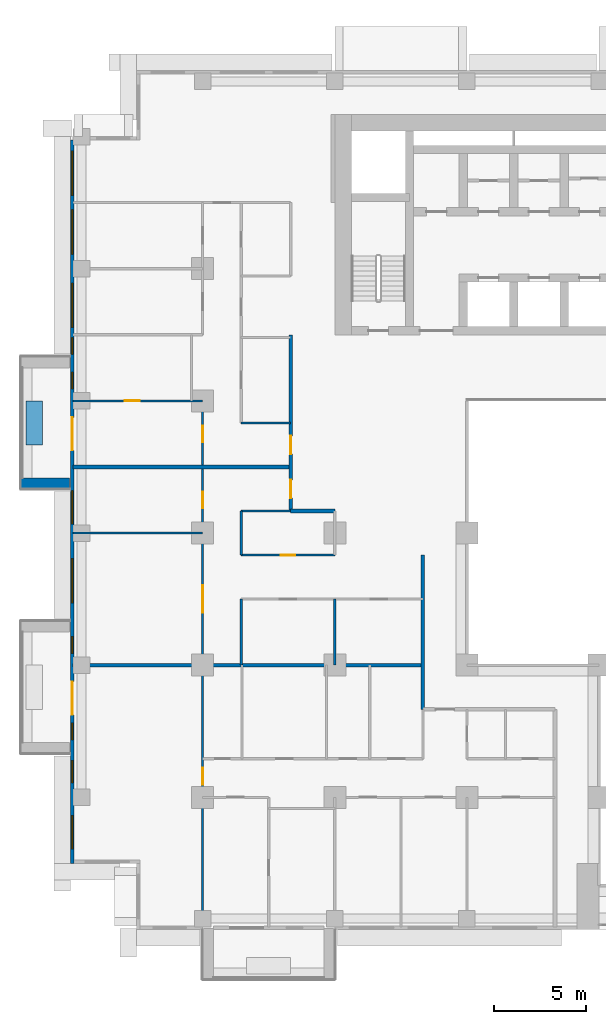
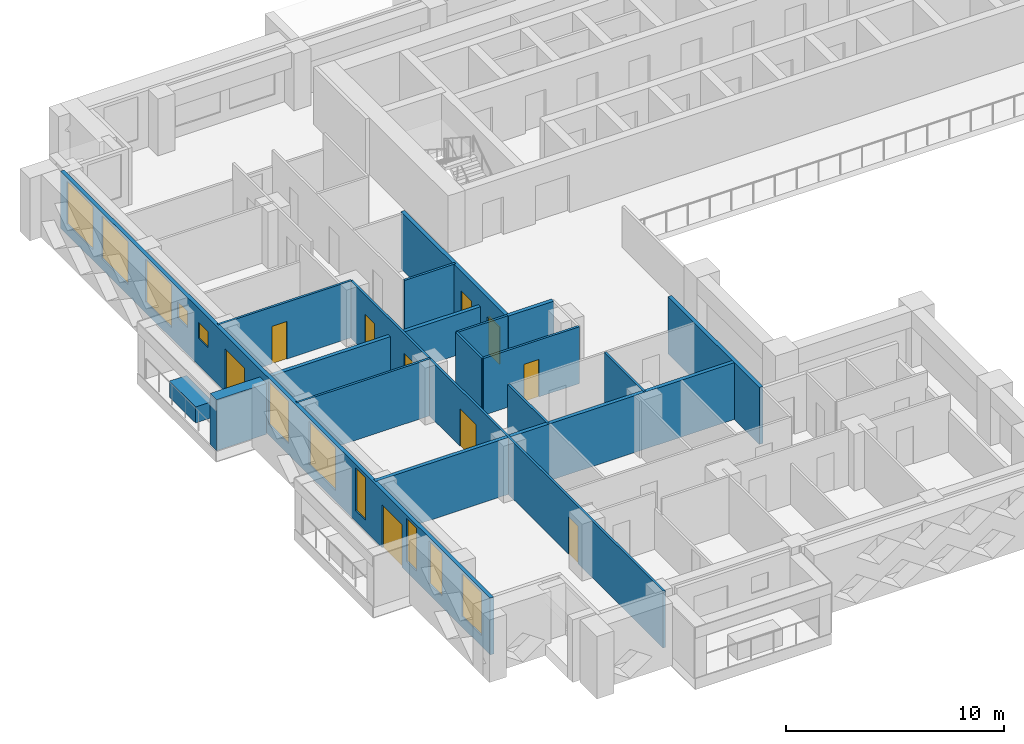
# One storey, part 7 of 17: 17 walls, 11 windows, 10 doors, 21 openings.
"""IFC4 building model written with IfcOpenShell, lengths in metres."""

from ifc_helpers import new_model, si_unit, direction, frame, frame_2d, origin, place, context, subcontext, project, spatial, rectangle, extrude, material, layer, layer_set, type_object, element, fill, save


model = new_model("IFC4")

# Units and contexts
model_context = context("Model", 3, precision=1e-05, world=origin(), true_north=direction((0.0, 1.0)))
body_context = subcontext(model_context, "Body", "Model", "MODEL_VIEW")
ifc_project = project(units=[si_unit("LENGTHUNIT", "METRE"), si_unit("AREAUNIT", "SQUARE_METRE"), si_unit("VOLUMEUNIT", "CUBIC_METRE"), si_unit("PLANEANGLEUNIT", "RADIAN"), si_unit("MASSUNIT", "GRAM", prefix="KILO")], contexts=[model_context])

# Site, building, storey
site_placement = place(None, origin())
site = spatial("IfcSite", under=ifc_project, at=site_placement, CompositionType="ELEMENT")
building_placement = place(site_placement, origin())
building = spatial("IfcBuilding", under=site, at=building_placement, Name="Saffron Iwan Residences", CompositionType="ELEMENT")
storey_placement = place(building_placement, frame((0.0, 0.0, 93.5)))
storey = spatial("IfcBuildingStorey", under=building, at=storey_placement, Name="L24", CompositionType="ELEMENT", Elevation=93.5)

# Walls
ifc_material_1 = material(Name="Concrete C50/60 white painted", Category="concrete")
ifc_layer_1 = layer(ifc_material_1, 0.60009765625)
ifc_layer_set_1 = layer_set([ifc_layer_1], Name="Concrete C50/60 white painted")
wall_type_1 = type_object("IfcWallType", Name="BALCONY FIN 600", PredefinedType="SOLIDWALL", material=ifc_layer_set_1)
wall_1_placement = place(storey_placement, frame((14.35009765625, 57.89990234375, 0.0), z_axis=(0.0, 0.0, 1.0), x_axis=(-1.0, 0.0, 0.0)))
element("IfcWall", 1, at=wall_1_placement, inside=storey, type_object=wall_type_1, Name="Balcony fin L24 F8-0b", PredefinedType="SOLIDWALL", context=body_context, shape_type="SweptSolid", body=[
    extrude(rectangle(XDim=2.650146484375, YDim=0.60009765625, at=frame_2d((1.3251953125, 0.0))), origin(), (0.0, 0.0, 1.0), 2.85009765625),
])
ifc_material_2 = material(Name="Concrete C35/45 white painted", Category="concrete")
ifc_layer_2 = layer(ifc_material_2, 0.14990234375)
ifc_layer_set_2 = layer_set([ifc_layer_2], Name="Concrete C35/45 white painted")
wall_type_2 = type_object("IfcWallType", Name="BALCONY PLANTER", PredefinedType="SOLIDWALL", material=ifc_layer_set_2)
wall_2_placement = place(storey_placement, frame((12.425048828125, 62.39990234375, 0.0), z_axis=(0.0, 0.0, 1.0), x_axis=(0.0, -1.0, 0.0)))
element("IfcWall", 2, at=wall_2_placement, inside=storey, type_object=wall_type_2, Name="PLANTER L24 F8-0", PredefinedType="SOLIDWALL", context=body_context, shape_type="SweptSolid", body=[
    extrude(rectangle(XDim=2.39990234375, YDim=0.89990234375, at=frame_2d((1.199951171875, 0.0))), origin(), (0.0, 0.0, 1.0), 0.89990234375),
])

# Wall, openings, doors, windows
ifc_material_3 = material(Name="Concrete C40/50", Category="concrete")
ifc_layer_3 = layer(ifc_material_3, 0.199951171875)
ifc_layer_set_3 = layer_set([ifc_layer_3], Name="Concrete C40/50")
wall_type_3 = type_object("IfcWallType", Name="EXTERNAL WALL 200", PredefinedType="SOLIDWALL", material=ifc_layer_set_3)
wall_3_placement = place(storey_placement, frame((14.5, 76.60009765625, 0.0), z_axis=(0.0, 0.0, 1.0), x_axis=(0.0, -1.0, 0.0)))
wall_3 = element("IfcWall", 3, at=wall_3_placement, inside=storey, type_object=wall_type_3, Name="External wall L24 F8.0", PredefinedType="SOLIDWALL", context=body_context, shape_type="SweptSolid", body=[
    extrude(rectangle(XDim=39.400146484375, YDim=0.199951171875, at=frame_2d((19.7001953125, 0.0))), origin(), (0.0, 0.0, 1.0), 3.179931640625),
])
opening_1_placement = place(wall_3_placement, frame((15.10009765625, 0.0, 0.0)))
opening_1 = element("IfcOpeningElement", 4, at=opening_1_placement, cuts=wall_3, Name="Opening BD1", PredefinedType="OPENING", context=body_context, shape_type="SweptSolid", body=[
    extrude(rectangle(XDim=1.800048828125, YDim=2.39990234375, at=frame_2d((0.89990234375, 1.199951171875))), frame((0.0, 0.10986328125, 0.0), z_axis=(0.0, -1.0, 0.0), x_axis=(1.0, 0.0, 0.0)), (0.0, 0.0, 1.0), 0.219970703125),
])
opening_2_placement = place(wall_3_placement, frame((29.5, 0.0, 0.0)))
opening_2 = element("IfcOpeningElement", 5, at=opening_2_placement, cuts=wall_3, Name="Opening BD1", PredefinedType="OPENING", context=body_context, shape_type="SweptSolid", body=[
    extrude(rectangle(XDim=1.800048828125, YDim=2.39990234375, at=frame_2d((0.89990234375, 1.199951171875))), frame((0.0, 0.10986328125, 0.0), z_axis=(0.0, -1.0, 0.0), x_axis=(1.0, 0.0, 0.0)), (0.0, 0.0, 1.0), 0.219970703125),
])
opening_3_placement = place(wall_3_placement, frame((31.75, 0.0, 0.60009765625)))
opening_3 = element("IfcOpeningElement", 6, at=opening_3_placement, cuts=wall_3, Name="Opening W10", PredefinedType="OPENING", context=body_context, shape_type="SweptSolid", body=[
    extrude(rectangle(XDim=0.89990234375, YDim=2.39990234375, at=frame_2d((0.449951171875, 1.199951171875))), frame((0.0, 0.10986328125, 0.0), z_axis=(0.0, -1.0, 0.0), x_axis=(1.0, 0.0, 0.0)), (0.0, 0.0, 1.0), 0.219970703125),
])
opening_4_placement = place(wall_3_placement, frame((33.800048828125, 0.0, 0.60009765625)))
opening_4 = element("IfcOpeningElement", 7, at=opening_4_placement, cuts=wall_3, Name="Opening W3", PredefinedType="OPENING", context=body_context, shape_type="SweptSolid", body=[
    extrude(rectangle(XDim=1.199951171875, YDim=2.39990234375, at=frame_2d((0.60009765625, 1.199951171875))), frame((0.0, 0.10986328125, 0.0), z_axis=(0.0, -1.0, 0.0), x_axis=(1.0, 0.0, 0.0)), (0.0, 0.0, 1.0), 0.219970703125),
])
opening_5_placement = place(wall_3_placement, frame((36.800048828125, 0.0, 0.60009765625)))
opening_5 = element("IfcOpeningElement", 8, at=opening_5_placement, cuts=wall_3, Name="Opening W8", PredefinedType="OPENING", context=body_context, shape_type="SweptSolid", body=[
    extrude(rectangle(XDim=1.800048828125, YDim=2.39990234375, at=frame_2d((0.89990234375, 1.199951171875))), frame((0.0, 0.10986328125, 0.0), z_axis=(0.0, -1.0, 0.0), x_axis=(1.0, 0.0, 0.0)), (0.0, 0.0, 1.0), 0.219970703125),
])
opening_6_placement = place(wall_3_placement, frame((22.800048828125, 0.0, 0.60009765625)))
opening_6 = element("IfcOpeningElement", 9, at=opening_6_placement, cuts=wall_3, Name="Opening W1", PredefinedType="OPENING", context=body_context, shape_type="SweptSolid", body=[
    extrude(rectangle(XDim=2.39990234375, YDim=2.39990234375, at=frame_2d((1.199951171875, 1.199951171875))), frame((0.0, 0.10986328125, 0.0), z_axis=(0.0, -1.0, 0.0), x_axis=(1.0, 0.0, 0.0)), (0.0, 0.0, 1.0), 0.219970703125),
])
opening_7_placement = place(wall_3_placement, frame((27.050048828125, 0.0, 0.60009765625)))
opening_7 = element("IfcOpeningElement", 10, at=opening_7_placement, cuts=wall_3, Name="Opening W10", PredefinedType="OPENING", context=body_context, shape_type="SweptSolid", body=[
    extrude(rectangle(XDim=0.89990234375, YDim=2.39990234375, at=frame_2d((0.449951171875, 1.199951171875))), frame((0.0, 0.10986328125, 0.0), z_axis=(0.0, -1.0, 0.0), x_axis=(1.0, 0.0, 0.0)), (0.0, 0.0, 1.0), 0.219970703125),
])
opening_8_placement = place(wall_3_placement, frame((19.10009765625, 0.0, 0.60009765625)))
opening_8 = element("IfcOpeningElement", 11, at=opening_8_placement, cuts=wall_3, Name="Opening W8", PredefinedType="OPENING", context=body_context, shape_type="SweptSolid", body=[
    extrude(rectangle(XDim=1.800048828125, YDim=2.39990234375, at=frame_2d((0.89990234375, 1.199951171875))), frame((0.0, 0.10986328125, 0.0), z_axis=(0.0, -1.0, 0.0), x_axis=(1.0, 0.0, 0.0)), (0.0, 0.0, 1.0), 0.219970703125),
])
opening_9_placement = place(wall_3_placement, frame((10.75, 0.0, 1.5)))
opening_9 = element("IfcOpeningElement", 12, at=opening_9_placement, cuts=wall_3, Name="Opening W6", PredefinedType="OPENING", context=body_context, shape_type="SweptSolid", body=[
    extrude(rectangle(XDim=0.89990234375, YDim=0.89990234375, at=frame_2d((0.449951171875, 0.449951171875))), frame((0.0, 0.10986328125, 0.0), z_axis=(0.0, -1.0, 0.0), x_axis=(1.0, 0.0, 0.0)), (0.0, 0.0, 1.0), 0.219970703125),
])
opening_10_placement = place(wall_3_placement, frame((12.64990234375, 0.0, 1.5)))
opening_10 = element("IfcOpeningElement", 13, at=opening_10_placement, cuts=wall_3, Name="Opening W6", PredefinedType="OPENING", context=body_context, shape_type="SweptSolid", body=[
    extrude(rectangle(XDim=0.89990234375, YDim=0.89990234375, at=frame_2d((0.449951171875, 0.449951171875))), frame((0.0, 0.10986328125, 0.0), z_axis=(0.0, -1.0, 0.0), x_axis=(1.0, 0.0, 0.0)), (0.0, 0.0, 1.0), 0.219970703125),
])
opening_11_placement = place(wall_3_placement, frame((7.800048828125, 0.0, 0.60009765625)))
opening_11 = element("IfcOpeningElement", 14, at=opening_11_placement, cuts=wall_3, Name="Opening W1", PredefinedType="OPENING", context=body_context, shape_type="SweptSolid", body=[
    extrude(rectangle(XDim=2.39990234375, YDim=2.39990234375, at=frame_2d((1.199951171875, 1.199951171875))), frame((0.0, 0.10986328125, 0.0), z_axis=(0.0, -1.0, 0.0), x_axis=(1.0, 0.0, 0.0)), (0.0, 0.0, 1.0), 0.219970703125),
])
opening_12_placement = place(wall_3_placement, frame((3.800048828125, 0.0, 0.60009765625)))
opening_12 = element("IfcOpeningElement", 15, at=opening_12_placement, cuts=wall_3, Name="Opening W1", PredefinedType="OPENING", context=body_context, shape_type="SweptSolid", body=[
    extrude(rectangle(XDim=2.39990234375, YDim=2.39990234375, at=frame_2d((1.199951171875, 1.199951171875))), frame((0.0, 0.10986328125, 0.0), z_axis=(0.0, -1.0, 0.0), x_axis=(1.0, 0.0, 0.0)), (0.0, 0.0, 1.0), 0.219970703125),
])
opening_13_placement = place(wall_3_placement, frame((0.60009765625, 0.0, 0.60009765625)))
opening_13 = element("IfcOpeningElement", 16, at=opening_13_placement, cuts=wall_3, Name="Opening W1", PredefinedType="OPENING", context=body_context, shape_type="SweptSolid", body=[
    extrude(rectangle(XDim=2.39990234375, YDim=2.39990234375, at=frame_2d((1.199951171875, 1.199951171875))), frame((0.0, 0.10986328125, 0.0), z_axis=(0.0, -1.0, 0.0), x_axis=(1.0, 0.0, 0.0)), (0.0, 0.0, 1.0), 0.219970703125),
])
ifc_material_4 = material(Name="Clear glass, laminated double glazed", Category="glass")
door_type_1 = type_object("IfcDoorType", Name="BALCONY DOOR 1800 x 2400", OperationType="DOUBLE_DOOR_SLIDING", PredefinedType="DOOR", material=ifc_material_4)
door_1_placement = place(opening_1_placement, origin())
door_1 = element("IfcDoor", 17, at=door_1_placement, inside=storey, type_object=door_type_1, Name="Balcony door L24 F8.0", OperationType="DOUBLE_DOOR_SLIDING", OverallHeight=2.39990234375, OverallWidth=1.800048828125, PredefinedType="DOOR", context=body_context, shape_type="SweptSolid", body=[
    extrude(rectangle(XDim=1.800048828125, YDim=2.39990234375, at=frame_2d((0.89990234375, 1.199951171875))), frame((0.0, 0.02490234375, 0.0), z_axis=(0.0, -1.0, 0.0), x_axis=(1.0, 0.0, 0.0)), (0.0, 0.0, 1.0), 0.050048828125),
])
fill(opening_1, door_1)
door_2_placement = place(opening_2_placement, origin())
door_2 = element("IfcDoor", 18, at=door_2_placement, inside=storey, type_object=door_type_1, Name="Balcony door L24 F8.1", OperationType="DOUBLE_DOOR_SLIDING", OverallHeight=2.39990234375, OverallWidth=1.800048828125, PredefinedType="DOOR", context=body_context, shape_type="SweptSolid", body=[
    extrude(rectangle(XDim=1.800048828125, YDim=2.39990234375, at=frame_2d((0.89990234375, 1.199951171875))), frame((0.0, 0.02490234375, 0.0), z_axis=(0.0, -1.0, 0.0), x_axis=(1.0, 0.0, 0.0)), (0.0, 0.0, 1.0), 0.050048828125),
])
fill(opening_2, door_2)
window_type_1 = type_object("IfcWindowType", Name="WINDOW 1200 x 2400", PartitioningType="SINGLE_PANEL", PredefinedType="WINDOW", material=ifc_material_4)
window_1_placement = place(opening_4_placement, origin())
window_1 = element("IfcWindow", 19, at=window_1_placement, inside=storey, type_object=window_type_1, Name="Window L24 F8.3", OverallHeight=2.39990234375, OverallWidth=1.199951171875, PartitioningType="SINGLE_PANEL", PredefinedType="WINDOW", context=body_context, shape_type="SweptSolid", body=[
    extrude(rectangle(XDim=1.199951171875, YDim=2.39990234375, at=frame_2d((0.60009765625, 1.199951171875))), frame((0.0, 0.030029296875, 0.0), z_axis=(0.0, -1.0, 0.0), x_axis=(1.0, 0.0, 0.0)), (0.0, 0.0, 1.0), 0.06005859375),
])
fill(opening_4, window_1)
window_type_2 = type_object("IfcWindowType", Name="WINDOW 1800 x 2400", PartitioningType="DOUBLE_PANEL_VERTICAL", PredefinedType="WINDOW", material=ifc_material_4)
window_2_placement = place(opening_5_placement, origin())
window_2 = element("IfcWindow", 20, at=window_2_placement, inside=storey, type_object=window_type_2, Name="Window L24 F8.4", OverallHeight=2.39990234375, OverallWidth=1.800048828125, PartitioningType="DOUBLE_PANEL_VERTICAL", PredefinedType="WINDOW", context=body_context, shape_type="SweptSolid", body=[
    extrude(rectangle(XDim=1.800048828125, YDim=2.39990234375, at=frame_2d((0.89990234375, 1.199951171875))), frame((0.0, 0.030029296875, 0.0), z_axis=(0.0, -1.0, 0.0), x_axis=(1.0, 0.0, 0.0)), (0.0, 0.0, 1.0), 0.06005859375),
])
fill(opening_5, window_2)
window_3_placement = place(opening_8_placement, origin())
window_3 = element("IfcWindow", 21, at=window_3_placement, inside=storey, type_object=window_type_2, Name="Window L24 F8.7", OverallHeight=2.39990234375, OverallWidth=1.800048828125, PartitioningType="DOUBLE_PANEL_VERTICAL", PredefinedType="WINDOW", context=body_context, shape_type="SweptSolid", body=[
    extrude(rectangle(XDim=1.800048828125, YDim=2.39990234375, at=frame_2d((0.89990234375, 1.199951171875))), frame((0.0, 0.030029296875, 0.0), z_axis=(0.0, -1.0, 0.0), x_axis=(1.0, 0.0, 0.0)), (0.0, 0.0, 1.0), 0.06005859375),
])
fill(opening_8, window_3)
window_type_3 = type_object("IfcWindowType", Name="WINDOW 2400 x 2400", PartitioningType="DOUBLE_PANEL_VERTICAL", PredefinedType="WINDOW", material=ifc_material_4)
window_4_placement = place(opening_6_placement, origin())
window_4 = element("IfcWindow", 22, at=window_4_placement, inside=storey, type_object=window_type_3, Name="Window L24 F8.5", OverallHeight=2.39990234375, OverallWidth=2.39990234375, PartitioningType="DOUBLE_PANEL_VERTICAL", PredefinedType="WINDOW", context=body_context, shape_type="SweptSolid", body=[
    extrude(rectangle(XDim=2.39990234375, YDim=2.39990234375, at=frame_2d((1.199951171875, 1.199951171875))), frame((0.0, 0.030029296875, 0.0), z_axis=(0.0, -1.0, 0.0), x_axis=(1.0, 0.0, 0.0)), (0.0, 0.0, 1.0), 0.06005859375),
])
fill(opening_6, window_4)
window_5_placement = place(opening_11_placement, origin())
window_5 = element("IfcWindow", 23, at=window_5_placement, inside=storey, type_object=window_type_3, Name="Window L24 F8.10", OverallHeight=2.39990234375, OverallWidth=2.39990234375, PartitioningType="DOUBLE_PANEL_VERTICAL", PredefinedType="WINDOW", context=body_context, shape_type="SweptSolid", body=[
    extrude(rectangle(XDim=2.39990234375, YDim=2.39990234375, at=frame_2d((1.199951171875, 1.199951171875))), frame((0.0, 0.030029296875, 0.0), z_axis=(0.0, -1.0, 0.0), x_axis=(1.0, 0.0, 0.0)), (0.0, 0.0, 1.0), 0.06005859375),
])
fill(opening_11, window_5)
window_6_placement = place(opening_12_placement, origin())
window_6 = element("IfcWindow", 24, at=window_6_placement, inside=storey, type_object=window_type_3, Name="Window L24 F8.11", OverallHeight=2.39990234375, OverallWidth=2.39990234375, PartitioningType="DOUBLE_PANEL_VERTICAL", PredefinedType="WINDOW", context=body_context, shape_type="SweptSolid", body=[
    extrude(rectangle(XDim=2.39990234375, YDim=2.39990234375, at=frame_2d((1.199951171875, 1.199951171875))), frame((0.0, 0.030029296875, 0.0), z_axis=(0.0, -1.0, 0.0), x_axis=(1.0, 0.0, 0.0)), (0.0, 0.0, 1.0), 0.06005859375),
])
fill(opening_12, window_6)
window_7_placement = place(opening_13_placement, origin())
window_7 = element("IfcWindow", 25, at=window_7_placement, inside=storey, type_object=window_type_3, Name="Window L24 F8.12", OverallHeight=2.39990234375, OverallWidth=2.39990234375, PartitioningType="DOUBLE_PANEL_VERTICAL", PredefinedType="WINDOW", context=body_context, shape_type="SweptSolid", body=[
    extrude(rectangle(XDim=2.39990234375, YDim=2.39990234375, at=frame_2d((1.199951171875, 1.199951171875))), frame((0.0, 0.030029296875, 0.0), z_axis=(0.0, -1.0, 0.0), x_axis=(1.0, 0.0, 0.0)), (0.0, 0.0, 1.0), 0.06005859375),
])
fill(opening_13, window_7)
window_type_4 = type_object("IfcWindowType", Name="WINDOW 900 x 2400", PartitioningType="SINGLE_PANEL", PredefinedType="WINDOW", material=ifc_material_4)
window_8_placement = place(opening_3_placement, origin())
window_8 = element("IfcWindow", 26, at=window_8_placement, inside=storey, type_object=window_type_4, Name="Window L24 F8.2", OverallHeight=2.39990234375, OverallWidth=0.89990234375, PartitioningType="SINGLE_PANEL", PredefinedType="WINDOW", context=body_context, shape_type="SweptSolid", body=[
    extrude(rectangle(XDim=0.89990234375, YDim=2.39990234375, at=frame_2d((0.449951171875, 1.199951171875))), frame((0.0, 0.030029296875, 0.0), z_axis=(0.0, -1.0, 0.0), x_axis=(1.0, 0.0, 0.0)), (0.0, 0.0, 1.0), 0.06005859375),
])
fill(opening_3, window_8)
window_9_placement = place(opening_7_placement, origin())
window_9 = element("IfcWindow", 27, at=window_9_placement, inside=storey, type_object=window_type_4, Name="Window L24 F8.6", OverallHeight=2.39990234375, OverallWidth=0.89990234375, PartitioningType="SINGLE_PANEL", PredefinedType="WINDOW", context=body_context, shape_type="SweptSolid", body=[
    extrude(rectangle(XDim=0.89990234375, YDim=2.39990234375, at=frame_2d((0.449951171875, 1.199951171875))), frame((0.0, 0.030029296875, 0.0), z_axis=(0.0, -1.0, 0.0), x_axis=(1.0, 0.0, 0.0)), (0.0, 0.0, 1.0), 0.06005859375),
])
fill(opening_7, window_9)
window_type_5 = type_object("IfcWindowType", Name="WINDOW 900 x 900 BATH", PartitioningType="SINGLE_PANEL", PredefinedType="WINDOW", material=ifc_material_4)
window_10_placement = place(opening_9_placement, origin())
window_10 = element("IfcWindow", 28, at=window_10_placement, inside=storey, type_object=window_type_5, Name="Window L24 F8.8", OverallHeight=0.89990234375, OverallWidth=0.89990234375, PartitioningType="SINGLE_PANEL", PredefinedType="WINDOW", context=body_context, shape_type="SweptSolid", body=[
    extrude(rectangle(XDim=0.89990234375, YDim=0.89990234375, at=frame_2d((0.449951171875, 0.449951171875))), frame((0.0, 0.030029296875, 0.0), z_axis=(0.0, -1.0, 0.0), x_axis=(1.0, 0.0, 0.0)), (0.0, 0.0, 1.0), 0.06005859375),
])
fill(opening_9, window_10)
window_11_placement = place(opening_10_placement, origin())
window_11 = element("IfcWindow", 29, at=window_11_placement, inside=storey, type_object=window_type_5, Name="Window L24 F8.9", OverallHeight=0.89990234375, OverallWidth=0.89990234375, PartitioningType="SINGLE_PANEL", PredefinedType="WINDOW", context=body_context, shape_type="SweptSolid", body=[
    extrude(rectangle(XDim=0.89990234375, YDim=0.89990234375, at=frame_2d((0.449951171875, 0.449951171875))), frame((0.0, 0.030029296875, 0.0), z_axis=(0.0, -1.0, 0.0), x_axis=(1.0, 0.0, 0.0)), (0.0, 0.0, 1.0), 0.06005859375),
])
fill(opening_10, window_11)

# Walls
ifc_material_5 = material(Name="Fire-rated gypsum board wall")
ifc_layer_4 = layer(ifc_material_5, 0.199951171875)
ifc_layer_set_4 = layer_set([ifc_layer_4], Name="Fire-rated gypsum board wall")
wall_type_4 = type_object("IfcWallType", Name="Flat demising wall 200", PredefinedType="SOLIDWALL", material=ifc_layer_set_4)
wall_4_placement = place(storey_placement, frame((14.52490234375, 48.0, 0.0), z_axis=(0.0, 0.0, 1.0), x_axis=(1.0, 0.0, 0.0)))
element("IfcWall", 30, at=wall_4_placement, inside=storey, type_object=wall_type_4, Name="W-L24-DEMISE-h48-14.525", PredefinedType="SOLIDWALL", context=body_context, shape_type="SweptSolid", body=[
    extrude(rectangle(XDim=19.0751953125, YDim=0.199951171875, at=frame_2d((9.53759765625, 0.0))), origin(), (0.0, 0.0, 1.0), 3.179931640625),
])
wall_5_placement = place(storey_placement, frame((14.52490234375, 58.800048828125, 0.0), z_axis=(0.0, 0.0, 1.0), x_axis=(1.0, 0.0, 0.0)))
element("IfcWall", 31, at=wall_5_placement, inside=storey, type_object=wall_type_4, Name="W-L24-DEMISE-h58.8-14.525", PredefinedType="SOLIDWALL", context=body_context, shape_type="SweptSolid", body=[
    extrude(rectangle(XDim=11.875, YDim=0.199951171875, at=frame_2d((5.9375, 0.0))), origin(), (0.0, 0.0, 1.0), 2.280029296875),
])

# Wall, opening, door
ifc_material_6 = material(Name="Gypsum board partition")
ifc_layer_5 = layer(ifc_material_6, 0.1201171875)
ifc_layer_set_5 = layer_set([ifc_layer_5], Name="Gypsum board partition")
wall_type_5 = type_object("IfcWallType", Name="Flat partition 120", PredefinedType="PARTITIONING", material=ifc_layer_set_5)
wall_6_placement = place(storey_placement, frame((23.699951171875, 54.0, 0.0), z_axis=(0.0, 0.0, 1.0), x_axis=(1.0, 0.0, 0.0)))
wall_6 = element("IfcWall", 32, at=wall_6_placement, inside=storey, type_object=wall_type_5, Name="W-L24-PART-h54-23.7", PredefinedType="PARTITIONING", context=body_context, shape_type="SweptSolid", body=[
    extrude(rectangle(XDim=5.10009765625, YDim=0.1201171875, at=frame_2d((2.550048828125, 0.0))), origin(), (0.0, 0.0, 1.0), 3.179931640625),
])
opening_14_placement = place(wall_6_placement, frame((2.14990234375, 0.0, 0.0)))
opening_14 = element("IfcOpeningElement", 33, at=opening_14_placement, cuts=wall_6, Name="Opening FD3", PredefinedType="OPENING", context=body_context, shape_type="SweptSolid", body=[
    extrude(rectangle(XDim=0.800048828125, YDim=2.10009765625, at=frame_2d((0.39990234375, 1.050048828125))), frame((0.0, 0.070068359375, 0.0), z_axis=(0.0, -1.0, 0.0), x_axis=(1.0, 0.0, 0.0)), (0.0, 0.0, 1.0), 0.14013671875),
])
ifc_material_7 = material(Name="Timber door", Category="wood")
door_type_2 = type_object("IfcDoorType", Name="Bathroom door 800", OperationType="NOTDEFINED", PredefinedType="DOOR", material=ifc_material_7)
door_3_placement = place(opening_14_placement, origin())
door_3 = element("IfcDoor", 34, at=door_3_placement, inside=storey, type_object=door_type_2, Name="Door L24-018", OperationType="SINGLE_SWING_LEFT", OverallHeight=2.10009765625, OverallWidth=0.800048828125, PredefinedType="DOOR", context=body_context, shape_type="SweptSolid", body=[
    extrude(rectangle(XDim=0.800048828125, YDim=2.10009765625, at=frame_2d((0.39990234375, 1.050048828125))), frame((0.0, 0.02490234375, 0.0), z_axis=(0.0, -1.0, 0.0), x_axis=(1.0, 0.0, 0.0)), (0.0, 0.0, 1.0), 0.050048828125),
])
fill(opening_14, door_3)

# Walls
wall_7_placement = place(storey_placement, frame((14.52490234375, 55.199951171875, 0.0), z_axis=(0.0, 0.0, 1.0), x_axis=(1.0, 0.0, 0.0)))
element("IfcWall", 35, at=wall_7_placement, inside=storey, type_object=wall_type_5, Name="W-L24-PART-h55.2-14.525", PredefinedType="PARTITIONING", context=body_context, shape_type="SweptSolid", body=[
    extrude(rectangle(XDim=7.0751953125, YDim=0.1201171875, at=frame_2d((3.53759765625, 0.0))), origin(), (0.0, 0.0, 1.0), 3.179931640625),
])
for number, where, z_axis, x_axis, name in (
    (36, (23.699951171875, 56.39990234375, 0.0), (0.0, 0.0, 1.0), (1.0, 0.0, 0.0), "W-L24-PART-h56.4-23.7"),
    (37, (23.699951171875, 61.199951171875, 0.0), (0.0, 0.0, 1.0), (1.0, 0.0, 0.0), "W-L24-PART-h61.2-23.7"),
):
    element("IfcWall", number, at=place(storey_placement, frame(where, z_axis=z_axis, x_axis=x_axis)), inside=storey, type_object=wall_type_5, Name=name, PredefinedType="PARTITIONING", context=body_context, shape_type="SweptSolid", body=[
        extrude(rectangle(XDim=2.699951171875, YDim=0.1201171875, at=frame_2d((1.35009765625, 0.0))), origin(), (0.0, 0.0, 1.0), 3.179931640625),
    ])

# Wall, opening, door
wall_8_placement = place(storey_placement, frame((14.52490234375, 62.39990234375, 0.0), z_axis=(0.0, 0.0, 1.0), x_axis=(1.0, 0.0, 0.0)))
wall_8 = element("IfcWall", 38, at=wall_8_placement, inside=storey, type_object=wall_type_5, Name="W-L24-PART-h62.4-14.525", PredefinedType="PARTITIONING", context=body_context, shape_type="SweptSolid", body=[
    extrude(rectangle(XDim=7.0751953125, YDim=0.1201171875, at=frame_2d((3.53759765625, 0.0))), origin(), (0.0, 0.0, 1.0), 3.179931640625),
])
opening_15_placement = place(wall_8_placement, frame((2.83740234375, 0.0, 0.0)))
opening_15 = element("IfcOpeningElement", 39, at=opening_15_placement, cuts=wall_8, Name="Opening FD3", PredefinedType="OPENING", context=body_context, shape_type="SweptSolid", body=[
    extrude(rectangle(XDim=0.800048828125, YDim=2.10009765625, at=frame_2d((0.39990234375, 1.050048828125))), frame((0.0, 0.070068359375, 0.0), z_axis=(0.0, -1.0, 0.0), x_axis=(1.0, 0.0, 0.0)), (0.0, 0.0, 1.0), 0.14013671875),
])
door_4_placement = place(opening_15_placement, origin())
door_4 = element("IfcDoor", 40, at=door_4_placement, inside=storey, type_object=door_type_2, Name="Door L24-028", OperationType="SINGLE_SWING_RIGHT", OverallHeight=2.10009765625, OverallWidth=0.800048828125, PredefinedType="DOOR", context=body_context, shape_type="SweptSolid", body=[
    extrude(rectangle(XDim=0.800048828125, YDim=2.10009765625, at=frame_2d((0.39990234375, 1.050048828125))), frame((0.0, 0.02490234375, 0.0), z_axis=(0.0, -1.0, 0.0), x_axis=(1.0, 0.0, 0.0)), (0.0, 0.0, 1.0), 0.050048828125),
])
fill(opening_15, door_4)

# Wall, openings, doors
wall_9_placement = place(storey_placement, frame((21.60009765625, 33.72509765625, 0.0), z_axis=(0.0, 0.0, 1.0), x_axis=(0.0, 1.0, 0.0)))
wall_9 = element("IfcWall", 41, at=wall_9_placement, inside=storey, type_object=wall_type_5, Name="W-L24-PART-v21.6-33.725", PredefinedType="PARTITIONING", context=body_context, shape_type="SweptSolid", body=[
    extrude(rectangle(XDim=28.6748046875, YDim=0.1201171875, at=frame_2d((14.33740234375, 0.0))), origin(), (0.0, 0.0, 1.0), 3.179931640625),
])
opening_16_placement = place(wall_9_placement, frame((7.77490234375, 0.0, 0.0)))
opening_16 = element("IfcOpeningElement", 42, at=opening_16_placement, cuts=wall_9, Name="Opening FD2", PredefinedType="OPENING", context=body_context, shape_type="SweptSolid", body=[
    extrude(rectangle(XDim=0.89990234375, YDim=2.10009765625, at=frame_2d((0.449951171875, 1.050048828125))), frame((0.0, 0.070068359375, 0.0), z_axis=(0.0, -1.0, 0.0), x_axis=(1.0, 0.0, 0.0)), (0.0, 0.0, 1.0), 0.14013671875),
])
opening_17_placement = place(wall_9_placement, frame((17.125, 0.0, 0.0)))
opening_17 = element("IfcOpeningElement", 43, at=opening_17_placement, cuts=wall_9, Name="Opening FD4", PredefinedType="OPENING", context=body_context, shape_type="SweptSolid", body=[
    extrude(rectangle(XDim=1.5, YDim=2.10009765625, at=frame_2d((0.75, 1.050048828125))), frame((0.0, 0.070068359375, 0.0), z_axis=(0.0, -1.0, 0.0), x_axis=(1.0, 0.0, 0.0)), (0.0, 0.0, 1.0), 0.14013671875),
])
opening_18_placement = place(wall_9_placement, frame((22.824951171875, 0.0, 0.0)))
opening_18 = element("IfcOpeningElement", 44, at=opening_18_placement, cuts=wall_9, Name="Opening FD2", PredefinedType="OPENING", context=body_context, shape_type="SweptSolid", body=[
    extrude(rectangle(XDim=0.89990234375, YDim=2.10009765625, at=frame_2d((0.449951171875, 1.050048828125))), frame((0.0, 0.070068359375, 0.0), z_axis=(0.0, -1.0, 0.0), x_axis=(1.0, 0.0, 0.0)), (0.0, 0.0, 1.0), 0.14013671875),
])
opening_19_placement = place(wall_9_placement, frame((26.425048828125, 0.0, 0.0)))
opening_19 = element("IfcOpeningElement", 45, at=opening_19_placement, cuts=wall_9, Name="Opening FD2", PredefinedType="OPENING", context=body_context, shape_type="SweptSolid", body=[
    extrude(rectangle(XDim=0.89990234375, YDim=2.10009765625, at=frame_2d((0.449951171875, 1.050048828125))), frame((0.0, 0.070068359375, 0.0), z_axis=(0.0, -1.0, 0.0), x_axis=(1.0, 0.0, 0.0)), (0.0, 0.0, 1.0), 0.14013671875),
])
door_type_3 = type_object("IfcDoorType", Name="Double door 1500", OperationType="NOTDEFINED", PredefinedType="DOOR", material=ifc_material_7)
door_5_placement = place(opening_17_placement, origin())
door_5 = element("IfcDoor", 46, at=door_5_placement, inside=storey, type_object=door_type_3, Name="Door L24-015", OperationType="SINGLE_SWING_LEFT", OverallHeight=2.10009765625, OverallWidth=1.5, PredefinedType="DOOR", context=body_context, shape_type="SweptSolid", body=[
    extrude(rectangle(XDim=1.5, YDim=2.10009765625, at=frame_2d((0.75, 1.050048828125))), frame((0.0, 0.02490234375, 0.0), z_axis=(0.0, -1.0, 0.0), x_axis=(1.0, 0.0, 0.0)), (0.0, 0.0, 1.0), 0.050048828125),
])
fill(opening_17, door_5)
door_type_4 = type_object("IfcDoorType", Name="Flat door 900", OperationType="NOTDEFINED", PredefinedType="DOOR", material=ifc_material_7)
door_6_placement = place(opening_16_placement, origin())
door_6 = element("IfcDoor", 47, at=door_6_placement, inside=storey, type_object=door_type_4, Name="Door L24-002", OperationType="SINGLE_SWING_RIGHT", OverallHeight=2.10009765625, OverallWidth=0.89990234375, PredefinedType="DOOR", context=body_context, shape_type="SweptSolid", body=[
    extrude(rectangle(XDim=0.89990234375, YDim=2.10009765625, at=frame_2d((0.449951171875, 1.050048828125))), frame((0.0, 0.02490234375, 0.0), z_axis=(0.0, -1.0, 0.0), x_axis=(1.0, 0.0, 0.0)), (0.0, 0.0, 1.0), 0.050048828125),
])
fill(opening_16, door_6)
door_7_placement = place(opening_18_placement, origin())
door_7 = element("IfcDoor", 48, at=door_7_placement, inside=storey, type_object=door_type_4, Name="Door L24-016", OperationType="SINGLE_SWING_RIGHT", OverallHeight=2.10009765625, OverallWidth=0.89990234375, PredefinedType="DOOR", context=body_context, shape_type="SweptSolid", body=[
    extrude(rectangle(XDim=0.89990234375, YDim=2.10009765625, at=frame_2d((0.449951171875, 1.050048828125))), frame((0.0, 0.02490234375, 0.0), z_axis=(0.0, -1.0, 0.0), x_axis=(1.0, 0.0, 0.0)), (0.0, 0.0, 1.0), 0.050048828125),
])
fill(opening_18, door_7)
door_8_placement = place(opening_19_placement, origin())
door_8 = element("IfcDoor", 49, at=door_8_placement, inside=storey, type_object=door_type_4, Name="Door L24-027", OperationType="SINGLE_SWING_LEFT", OverallHeight=2.10009765625, OverallWidth=0.89990234375, PredefinedType="DOOR", context=body_context, shape_type="SweptSolid", body=[
    extrude(rectangle(XDim=0.89990234375, YDim=2.10009765625, at=frame_2d((0.449951171875, 1.050048828125))), frame((0.0, 0.02490234375, 0.0), z_axis=(0.0, -1.0, 0.0), x_axis=(1.0, 0.0, 0.0)), (0.0, 0.0, 1.0), 0.050048828125),
])
fill(opening_19, door_8)

# Walls
wall_10_placement = place(storey_placement, frame((23.699951171875, 48.0, 0.0), z_axis=(0.0, 0.0, 1.0), x_axis=(0.0, 1.0, 0.0)))
element("IfcWall", 50, at=wall_10_placement, inside=storey, type_object=wall_type_5, Name="W-L24-PART-v23.7-48", PredefinedType="PARTITIONING", context=body_context, shape_type="SweptSolid", body=[
    extrude(rectangle(XDim=3.60009765625, YDim=0.1201171875, at=frame_2d((1.800048828125, 0.0))), origin(), (0.0, 0.0, 1.0), 3.179931640625),
])
wall_11_placement = place(storey_placement, frame((23.699951171875, 54.0, 0.0), z_axis=(0.0, 0.0, 1.0), x_axis=(0.0, 1.0, 0.0)))
element("IfcWall", 51, at=wall_11_placement, inside=storey, type_object=wall_type_5, Name="W-L24-PART-v23.7-54", PredefinedType="PARTITIONING", context=body_context, shape_type="SweptSolid", body=[
    extrude(rectangle(XDim=2.39990234375, YDim=0.1201171875, at=frame_2d((1.199951171875, 0.0))), origin(), (0.0, 0.0, 1.0), 3.179931640625),
])
wall_12_placement = place(storey_placement, frame((28.800048828125, 48.0, 0.0), z_axis=(0.0, 0.0, 1.0), x_axis=(0.0, 1.0, 0.0)))
element("IfcWall", 52, at=wall_12_placement, inside=storey, type_object=wall_type_5, Name="W-L24-PART-v28.8-48", PredefinedType="PARTITIONING", context=body_context, shape_type="SweptSolid", body=[
    extrude(rectangle(XDim=3.60009765625, YDim=0.1201171875, at=frame_2d((1.800048828125, 0.0))), origin(), (0.0, 0.0, 1.0), 3.179931640625),
])
ifc_layer_6 = layer(ifc_material_5, 0.199951171875)
ifc_layer_set_6 = layer_set([ifc_layer_6], Name="Fire-rated gypsum board wall")
wall_type_6 = type_object("IfcWallType", Name="Gallery wall 200", PredefinedType="SOLIDWALL", material=ifc_layer_set_6)
wall_13_placement = place(storey_placement, frame((26.39990234375, 56.39990234375, 0.0), z_axis=(0.0, 0.0, 1.0), x_axis=(1.0, 0.0, 0.0)))
element("IfcWall", 53, at=wall_13_placement, inside=storey, type_object=wall_type_6, Name="W-L24-CORR-h56.4-26.4", PredefinedType="SOLIDWALL", context=body_context, shape_type="SweptSolid", body=[
    extrude(rectangle(XDim=2.400146484375, YDim=0.199951171875, at=frame_2d((1.2001953125, 0.0))), origin(), (0.0, 0.0, 1.0), 3.179931640625),
])

# Wall, openings, doors
wall_14_placement = place(storey_placement, frame((26.39990234375, 56.39990234375, 0.0), z_axis=(0.0, 0.0, 1.0), x_axis=(0.0, 1.0, 0.0)))
wall_14 = element("IfcWall", 54, at=wall_14_placement, inside=storey, type_object=wall_type_6, Name="W-L24-CORR-v26.4-56.4", PredefinedType="SOLIDWALL", context=body_context, shape_type="SweptSolid", body=[
    extrude(rectangle(XDim=9.60009765625, YDim=0.199951171875, at=frame_2d((4.800048828125, 0.0))), origin(), (0.0, 0.0, 1.0), 3.179931640625),
])
opening_20_placement = place(wall_14_placement, frame((0.699951171875, 0.0, 0.0)))
opening_20 = element("IfcOpeningElement", 55, at=opening_20_placement, cuts=wall_14, Name="Opening FD1", PredefinedType="OPENING", context=body_context, shape_type="SweptSolid", body=[
    extrude(rectangle(XDim=1.0, YDim=2.10009765625, at=frame_2d((0.5, 1.050048828125))), frame((0.0, 0.10986328125, 0.0), z_axis=(0.0, -1.0, 0.0), x_axis=(1.0, 0.0, 0.0)), (0.0, 0.0, 1.0), 0.219970703125),
])
opening_21_placement = place(wall_14_placement, frame((3.10009765625, 0.0, 0.0)))
opening_21 = element("IfcOpeningElement", 56, at=opening_21_placement, cuts=wall_14, Name="Opening FD1", PredefinedType="OPENING", context=body_context, shape_type="SweptSolid", body=[
    extrude(rectangle(XDim=1.0, YDim=2.10009765625, at=frame_2d((0.5, 1.050048828125))), frame((0.0, 0.10986328125, 0.0), z_axis=(0.0, -1.0, 0.0), x_axis=(1.0, 0.0, 0.0)), (0.0, 0.0, 1.0), 0.219970703125),
])
ifc_material_8 = material(Name="Fire-rated timber door", Category="wood")
door_type_5 = type_object("IfcDoorType", Name="FD30S flat entrance door 1000", OperationType="NOTDEFINED", PredefinedType="DOOR", material=ifc_material_8)
door_9_placement = place(opening_20_placement, origin())
door_9 = element("IfcDoor", 57, at=door_9_placement, inside=storey, type_object=door_type_5, Name="Door L24-014", OperationType="SINGLE_SWING_LEFT", OverallHeight=2.10009765625, OverallWidth=1.0, PredefinedType="DOOR", context=body_context, shape_type="SweptSolid", body=[
    extrude(rectangle(XDim=1.0, YDim=2.10009765625, at=frame_2d((0.5, 1.050048828125))), frame((0.0, 0.02490234375, 0.0), z_axis=(0.0, -1.0, 0.0), x_axis=(1.0, 0.0, 0.0)), (0.0, 0.0, 1.0), 0.050048828125),
])
fill(opening_20, door_9)
door_10_placement = place(opening_21_placement, origin())
door_10 = element("IfcDoor", 58, at=door_10_placement, inside=storey, type_object=door_type_5, Name="Door L24-026", OperationType="SINGLE_SWING_LEFT", OverallHeight=2.10009765625, OverallWidth=1.0, PredefinedType="DOOR", context=body_context, shape_type="SweptSolid", body=[
    extrude(rectangle(XDim=1.0, YDim=2.10009765625, at=frame_2d((0.5, 1.050048828125))), frame((0.0, 0.02490234375, 0.0), z_axis=(0.0, -1.0, 0.0), x_axis=(1.0, 0.0, 0.0)), (0.0, 0.0, 1.0), 0.050048828125),
])
fill(opening_21, door_10)

# Wall
wall_15_placement = place(storey_placement, frame((33.60009765625, 45.60009765625, 0.0), z_axis=(0.0, 0.0, 1.0), x_axis=(0.0, 1.0, 0.0)))
element("IfcWall", 59, at=wall_15_placement, inside=storey, type_object=wall_type_6, Name="W-L24-CORR-v33.6-45.6", PredefinedType="SOLIDWALL", context=body_context, shape_type="SweptSolid", body=[
    extrude(rectangle(XDim=8.39990234375, YDim=0.199951171875, at=frame_2d((4.199951171875, 0.0))), origin(), (0.0, 0.0, 1.0), 3.179931640625),
])

save(model, "model.ifc")
